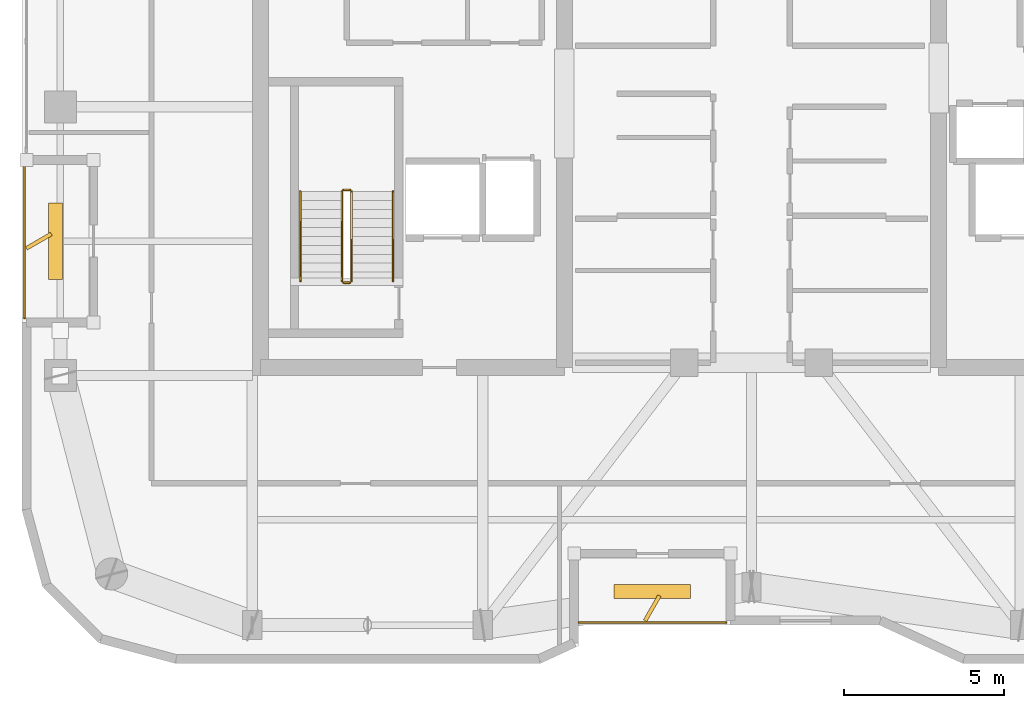
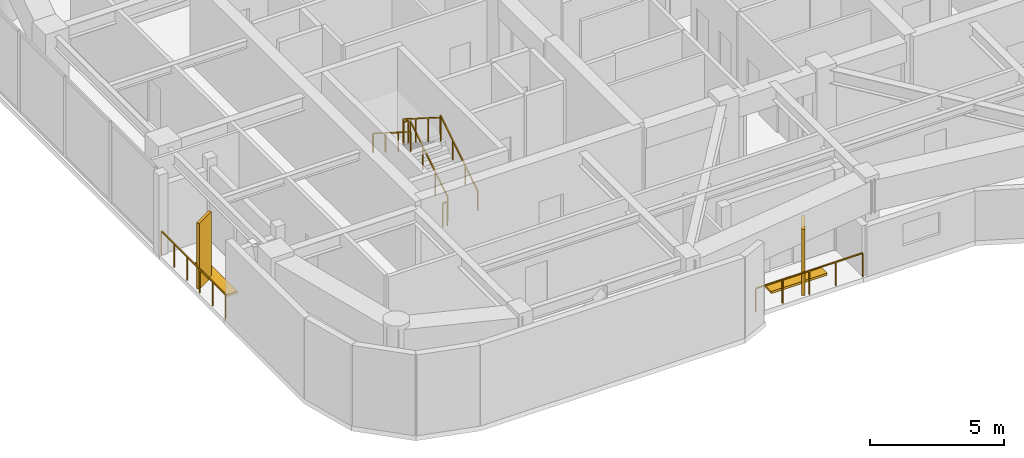
# One storey, part 14 of 15: 8 railings, 4 shading devices.
"""IFC4 building model written with IfcOpenShell, lengths in metres."""

from ifc_helpers import new_model, si_unit, direction, frame, origin, origin_2d, place, context, subcontext, project, spatial, rectangle, extrude, material, type_object, element, save


model = new_model("IFC4")

# Units and contexts
model_context = context("Model", 3, precision=1e-05, world=origin(), true_north=direction((0.0, 1.0)))
body_context = subcontext(model_context, "Body", "Model", "MODEL_VIEW")
ifc_project = project(units=[si_unit("LENGTHUNIT", "METRE"), si_unit("AREAUNIT", "SQUARE_METRE"), si_unit("VOLUMEUNIT", "CUBIC_METRE"), si_unit("PLANEANGLEUNIT", "RADIAN"), si_unit("MASSUNIT", "GRAM", prefix="KILO")], contexts=[model_context])

# Site, building, storey
site_placement = place(None, origin())
site = spatial("IfcSite", under=ifc_project, at=site_placement, CompositionType="ELEMENT")
building_placement = place(site_placement, origin())
building = spatial("IfcBuilding", under=site, at=building_placement, Name="Kiyonajd Concourse Tower", CompositionType="ELEMENT")
storey_placement = place(building_placement, frame((0.0, 0.0, 290.10009765625)))
storey = spatial("IfcBuildingStorey", under=building, at=storey_placement, Name="L73", CompositionType="ELEMENT", Elevation=290.10009765625)

# Railings
ifc_material_1 = material(Name="Thermally Broken Anodised Aluminium", Category="aluminium")
railing_type_1 = type_object("IfcRailingType", Name="RL-GRD-LOG", PredefinedType="GUARDRAIL", material=ifc_material_1)
railing_1_placement = place(storey_placement, frame((42.60009765625, 19.8798828125, 0.0)))
element("IfcRailing", 1, at=railing_1_placement, inside=storey, type_object=railing_type_1, Name="L73 Engawa Loggia Perimeter Guard LOG-S", PredefinedType="GUARDRAIL", context=body_context, shape_type="SweptSolid", body=[
    extrude(rectangle(XDim=0.048095703125, YDim=0.048095703125, at=origin_2d()), frame((0.0, 0.0, 1.076171875), z_axis=(1.0, 0.0, 0.0), x_axis=(0.0, 1.0, 0.0)), (0.0, 0.0, 1.0), 4.599853515625),
    extrude(rectangle(XDim=0.0419921875, YDim=0.0419921875, at=origin_2d()), origin(), (0.0, 0.0, 1.0), 1.052001953125),
    extrude(rectangle(XDim=0.0419921875, YDim=0.0419921875, at=origin_2d()), frame((1.14990234375, 0.0, 0.0)), (0.0, 0.0, 1.0), 1.052001953125),
    extrude(rectangle(XDim=0.0419921875, YDim=0.0419921875, at=origin_2d()), frame((2.2998046875, 0.0, 0.0)), (0.0, 0.0, 1.0), 1.052001953125),
    extrude(rectangle(XDim=0.0419921875, YDim=0.0419921875, at=origin_2d()), frame((3.449951171875, 0.0, 0.0)), (0.0, 0.0, 1.0), 1.052001953125),
    extrude(rectangle(XDim=0.0419921875, YDim=0.0419921875, at=origin_2d()), frame((4.599853515625, 0.0, 0.0)), (0.0, 0.0, 1.0), 1.052001953125),
])
railing_2_placement = place(storey_placement, frame((25.280029296875, 34.199951171875, 0.0)))
element("IfcRailing", 2, at=railing_2_placement, inside=storey, type_object=railing_type_1, Name="L73 Engawa Loggia Perimeter Guard LOG-W", PredefinedType="GUARDRAIL", context=body_context, shape_type="SweptSolid", body=[
    extrude(rectangle(XDim=0.048095703125, YDim=0.048095703125, at=origin_2d()), frame((0.0, 0.0, 1.076171875), z_axis=(0.0, -1.0, 0.0), x_axis=(1.0, 0.0, 0.0)), (0.0, 0.0, 1.0), 4.800048828125),
    extrude(rectangle(XDim=0.0419921875, YDim=0.0419921875, at=origin_2d()), origin(), (0.0, 0.0, 1.0), 1.052001953125),
    extrude(rectangle(XDim=0.0419921875, YDim=0.0419921875, at=origin_2d()), frame((0.0, -0.9599609375, 0.0)), (0.0, 0.0, 1.0), 1.052001953125),
    extrude(rectangle(XDim=0.0419921875, YDim=0.0419921875, at=origin_2d()), frame((0.0, -1.919921875, 0.0)), (0.0, 0.0, 1.0), 1.052001953125),
    extrude(rectangle(XDim=0.0419921875, YDim=0.0419921875, at=origin_2d()), frame((0.0, -2.880126953125, 0.0)), (0.0, 0.0, 1.0), 1.052001953125),
    extrude(rectangle(XDim=0.0419921875, YDim=0.0419921875, at=origin_2d()), frame((0.0, -3.840087890625, 0.0)), (0.0, 0.0, 1.0), 1.052001953125),
    extrude(rectangle(XDim=0.0419921875, YDim=0.0419921875, at=origin_2d()), frame((0.0, -4.800048828125, 0.0)), (0.0, 0.0, 1.0), 1.052001953125),
])
ifc_material_2 = material(Name="Steel ASTM A500 Grade C", Category="steel")
railing_type_2 = type_object("IfcRailingType", Name="RL-GRD-STR", PredefinedType="GUARDRAIL", material=ifc_material_2)
railing_3_placement = place(storey_placement, frame((35.5, 30.550048828125, 0.17724609375)))
element("IfcRailing", 3, at=railing_3_placement, inside=storey, type_object=railing_type_2, Name="L73 ST1 stair guard 1", PredefinedType="GUARDRAIL", context=body_context, shape_type="SweptSolid", body=[
    extrude(rectangle(XDim=0.048095703125, YDim=0.048095703125, at=origin_2d()), frame((0.0, 0.0, 1.076171875), z_axis=(0.0, 0.844908973607, 0.534910110503), x_axis=(-1.0, 0.0, 0.0)), (0.0, 0.0, 1.0), 3.31396484375),
    extrude(rectangle(XDim=0.0419921875, YDim=0.0419921875, at=origin_2d()), origin(), (0.0, 0.0, 1.0), 1.052001953125),
    extrude(rectangle(XDim=0.0419921875, YDim=0.0419921875, at=origin_2d()), frame((0.0, 0.933349609375, 0.5908203125)), (0.0, 0.0, 1.0), 1.052001953125),
    extrude(rectangle(XDim=0.0419921875, YDim=0.0419921875, at=origin_2d()), frame((0.0, 1.86669921875, 1.181884765625)), (0.0, 0.0, 1.0), 1.052001953125),
    extrude(rectangle(XDim=0.0419921875, YDim=0.0419921875, at=origin_2d()), frame((0.0, 2.800048828125, 1.772705078125)), (0.0, 0.0, 1.0), 1.052001953125),
])
railing_4_placement = place(storey_placement, frame((35.449951171875, 33.39990234375, 1.949951171875)))
element("IfcRailing", 4, at=railing_4_placement, inside=storey, type_object=railing_type_2, Name="L73 ST1 stair guard 2", PredefinedType="GUARDRAIL", context=body_context, shape_type="SweptSolid", body=[
    extrude(rectangle(XDim=0.048095703125, YDim=0.048095703125, at=origin_2d()), frame((0.0, 0.0, 1.076171875), z_axis=(-1.0, 0.0, 0.0), x_axis=(0.0, -1.0, 0.0)), (0.0, 0.0, 1.0), 0.199951171875),
    extrude(rectangle(XDim=0.0419921875, YDim=0.0419921875, at=origin_2d()), origin(), (0.0, 0.0, 1.0), 1.052001953125),
    extrude(rectangle(XDim=0.0419921875, YDim=0.0419921875, at=origin_2d()), frame((-0.199951171875, 0.0, 0.0)), (0.0, 0.0, 1.0), 1.052001953125),
])
railing_5_placement = place(storey_placement, frame((35.199951171875, 33.35009765625, 2.127197265625)))
element("IfcRailing", 5, at=railing_5_placement, inside=storey, type_object=railing_type_2, Name="L73 ST1 stair guard 3", PredefinedType="GUARDRAIL", context=body_context, shape_type="SweptSolid", body=[
    extrude(rectangle(XDim=0.048095703125, YDim=0.048095703125, at=origin_2d()), frame((0.0, 0.0, 1.076171875), z_axis=(0.0, -0.844908973607, 0.534910110503), x_axis=(1.0, 0.0, 0.0)), (0.0, 0.0, 1.0), 3.31396484375),
    extrude(rectangle(XDim=0.0419921875, YDim=0.0419921875, at=origin_2d()), origin(), (0.0, 0.0, 1.0), 1.052001953125),
    extrude(rectangle(XDim=0.0419921875, YDim=0.0419921875, at=origin_2d()), frame((0.0, -0.933349609375, 0.5908203125)), (0.0, 0.0, 1.0), 1.052001953125),
    extrude(rectangle(XDim=0.0419921875, YDim=0.0419921875, at=origin_2d()), frame((0.0, -1.86669921875, 1.181884765625)), (0.0, 0.0, 1.0), 1.052001953125),
    extrude(rectangle(XDim=0.0419921875, YDim=0.0419921875, at=origin_2d()), frame((0.0, -2.800048828125, 1.772705078125)), (0.0, 0.0, 1.0), 1.052001953125),
])
railing_6_placement = place(storey_placement, frame((35.449951171875, 30.5, 0.0)))
element("IfcRailing", 6, at=railing_6_placement, inside=storey, type_object=railing_type_2, Name="L73 ST1 stair guard 4", PredefinedType="GUARDRAIL", context=body_context, shape_type="SweptSolid", body=[
    extrude(rectangle(XDim=0.048095703125, YDim=0.048095703125, at=origin_2d()), frame((0.0, 0.0, 1.076171875), z_axis=(-1.0, 0.0, 0.0), x_axis=(0.0, -1.0, 0.0)), (0.0, 0.0, 1.0), 0.199951171875),
    extrude(rectangle(XDim=0.0419921875, YDim=0.0419921875, at=origin_2d()), origin(), (0.0, 0.0, 1.0), 1.052001953125),
    extrude(rectangle(XDim=0.0419921875, YDim=0.0419921875, at=origin_2d()), frame((-0.199951171875, 0.0, 0.0)), (0.0, 0.0, 1.0), 1.052001953125),
])
ifc_material_3 = material(Name="Brushed Stainless Steel Cab Assembly", Category="steel")
railing_type_3 = type_object("IfcRailingType", Name="RL-HND-900", PredefinedType="HANDRAIL", material=ifc_material_3)
railing_7_placement = place(storey_placement, frame((36.800048828125, 30.550048828125, 0.17724609375)))
element("IfcRailing", 7, at=railing_7_placement, inside=storey, type_object=railing_type_3, Name="L73 ST1 stair handrail 1", PredefinedType="HANDRAIL", context=body_context, shape_type="SweptSolid", body=[
    extrude(rectangle(XDim=0.048095703125, YDim=0.048095703125, at=origin_2d()), frame((0.0, 0.0, 0.8759765625), z_axis=(0.0, 0.844908973607, 0.534910110503), x_axis=(-1.0, 0.0, 0.0)), (0.0, 0.0, 1.0), 3.31396484375),
    extrude(rectangle(XDim=0.0419921875, YDim=0.0419921875, at=origin_2d()), origin(), (0.0, 0.0, 1.0), 0.851806640625),
    extrude(rectangle(XDim=0.0419921875, YDim=0.0419921875, at=origin_2d()), frame((0.0, 0.933349609375, 0.5908203125)), (0.0, 0.0, 1.0), 0.851806640625),
    extrude(rectangle(XDim=0.0419921875, YDim=0.0419921875, at=origin_2d()), frame((0.0, 1.86669921875, 1.181884765625)), (0.0, 0.0, 1.0), 0.851806640625),
    extrude(rectangle(XDim=0.0419921875, YDim=0.0419921875, at=origin_2d()), frame((0.0, 2.800048828125, 1.772705078125)), (0.0, 0.0, 1.0), 0.851806640625),
])
railing_8_placement = place(storey_placement, frame((33.89990234375, 33.35009765625, 2.127197265625)))
element("IfcRailing", 8, at=railing_8_placement, inside=storey, type_object=railing_type_3, Name="L73 ST1 stair handrail 2", PredefinedType="HANDRAIL", context=body_context, shape_type="SweptSolid", body=[
    extrude(rectangle(XDim=0.048095703125, YDim=0.048095703125, at=origin_2d()), frame((0.0, 0.0, 0.8759765625), z_axis=(0.0, -0.844908973607, 0.534910110503), x_axis=(1.0, 0.0, 0.0)), (0.0, 0.0, 1.0), 3.31396484375),
    extrude(rectangle(XDim=0.0419921875, YDim=0.0419921875, at=origin_2d()), origin(), (0.0, 0.0, 1.0), 0.851806640625),
    extrude(rectangle(XDim=0.0419921875, YDim=0.0419921875, at=origin_2d()), frame((0.0, -0.933349609375, 0.5908203125)), (0.0, 0.0, 1.0), 0.851806640625),
    extrude(rectangle(XDim=0.0419921875, YDim=0.0419921875, at=origin_2d()), frame((0.0, -1.86669921875, 1.181884765625)), (0.0, 0.0, 1.0), 0.851806640625),
    extrude(rectangle(XDim=0.0419921875, YDim=0.0419921875, at=origin_2d()), frame((0.0, -2.800048828125, 1.772705078125)), (0.0, 0.0, 1.0), 0.851806640625),
])

# Shading devices
ifc_material_4 = material(Name="Precast concrete C50/60", Category="concrete")
shading_device_type_1 = type_object("IfcShadingDeviceType", Name="SH-FIN-900", PredefinedType="USERDEFINED", material=ifc_material_4)
for number, where, z_axis, x_axis, name in (
    (9, (44.89990234375, 20.330078125, 0.0), (0.0, 0.0, 1.0), (0.5, 0.866025403784, 0.0), "L73 Angled Koshi Solar Fin LOG-S"),
    (10, (25.72998046875, 31.800048828125, 0.0), (0.0, 0.0, 1.0), (0.866025403784, 0.5, 0.0), "L73 Angled Koshi Solar Fin LOG-W"),
):
    element("IfcShadingDevice", number, at=place(storey_placement, frame(where, z_axis=z_axis, x_axis=x_axis)), inside=storey, type_object=shading_device_type_1, Name=name, ObjectType="FIN", PredefinedType="USERDEFINED", context=body_context, shape_type="SweptSolid", body=[
        extrude(rectangle(XDim=0.89990234375, YDim=0.1201171875, at=origin_2d()), origin(), (0.0, 0.0, 1.0), 3.0),
    ])
shading_device_type_2 = type_object("IfcShadingDeviceType", Name="SH-LVR-600", PredefinedType="JALOUSIE", material=ifc_material_1)
for number, where, z_axis, x_axis, name in (
    (11, (44.89990234375, 20.85009765625, -0.000244140625), (0.0, 0.0, 1.0), (1.0, 0.0, 0.0), "L73 Loggia Threshold Louver LOG-S"),
    (12, (26.25, 31.800048828125, -0.000244140625), (0.0, 0.0, 1.0), (0.0, 1.0, 0.0), "L73 Loggia Threshold Louver LOG-W"),
):
    element("IfcShadingDevice", number, at=place(storey_placement, frame(where, z_axis=z_axis, x_axis=x_axis)), inside=storey, type_object=shading_device_type_2, Name=name, PredefinedType="JALOUSIE", context=body_context, shape_type="SweptSolid", body=[
        extrude(rectangle(XDim=2.39990234375, YDim=0.449951171875, at=origin_2d()), origin(), (0.0, 0.0, 1.0), 0.10009765625),
    ])

save(model, "model.ifc")
